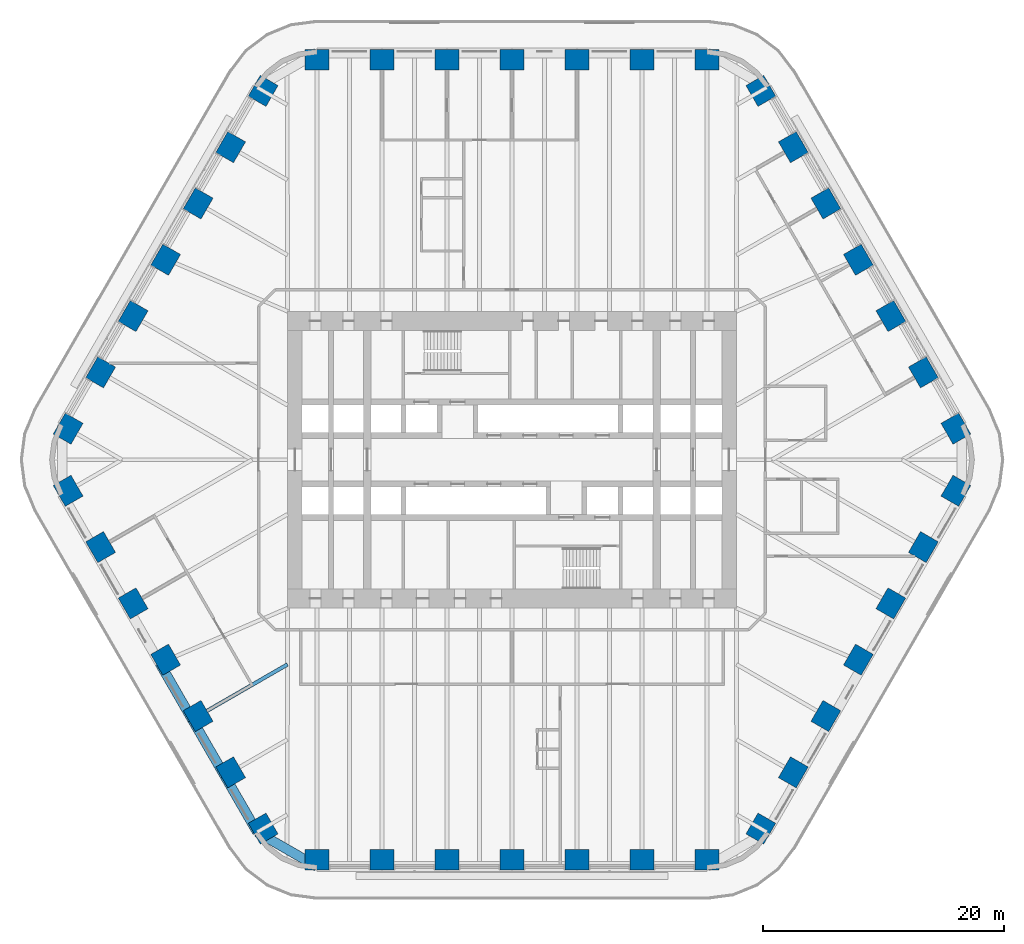
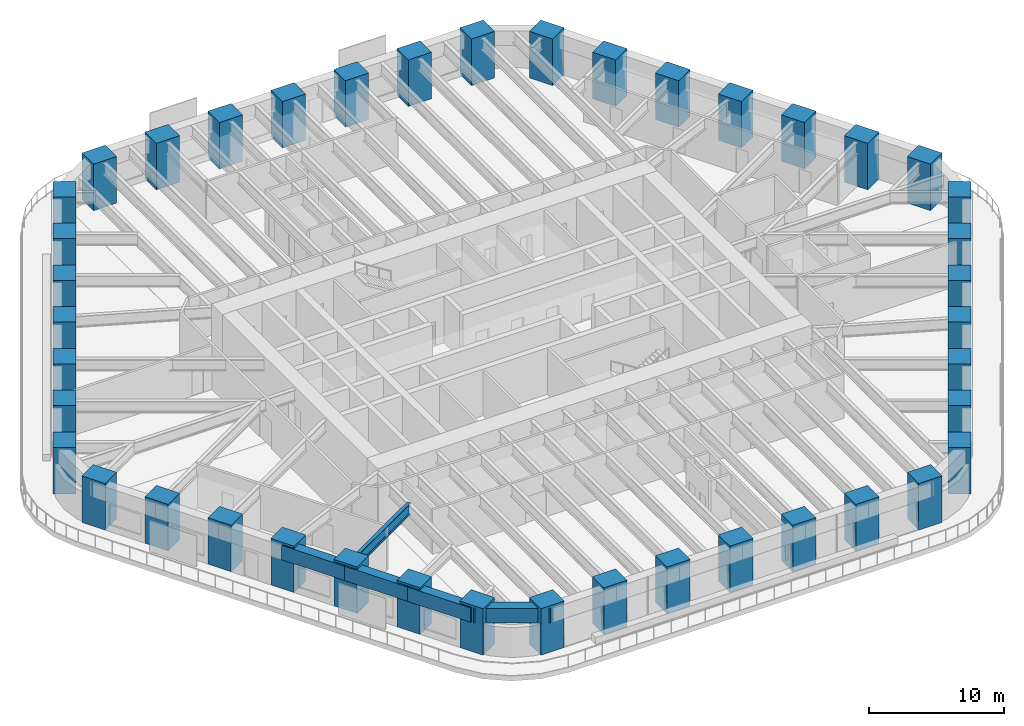
# One storey, part 1 of 24: 42 columns, 5 beams.
"""IFC4 building model written with IfcOpenShell, lengths in metres."""

from ifc_helpers import new_model, si_unit, direction, frame, origin, origin_2d, place, context, subcontext, project, spatial, rectangle, i_section, extrude, material, material_profile, profile_set, type_object, element, save


model = new_model("IFC4")

# Units and contexts
model_context = context("Model", 3, precision=1e-05, world=origin(), true_north=direction((0.0, 1.0)))
body_context = subcontext(model_context, "Body", "Model", "MODEL_VIEW")
ifc_project = project(units=[si_unit("LENGTHUNIT", "METRE"), si_unit("AREAUNIT", "SQUARE_METRE"), si_unit("VOLUMEUNIT", "CUBIC_METRE"), si_unit("PLANEANGLEUNIT", "RADIAN"), si_unit("MASSUNIT", "GRAM", prefix="KILO")], contexts=[model_context])

# Site, building, storey
site_placement = place(None, origin())
site = spatial("IfcSite", under=ifc_project, at=site_placement, CompositionType="ELEMENT")
building_placement = place(site_placement, origin())
building = spatial("IfcBuilding", under=site, at=building_placement, Name="Tarfa Lantern Tower", CompositionType="ELEMENT")
storey_placement = place(building_placement, frame((0.0, 0.0, 65.5)))
storey = spatial("IfcBuildingStorey", under=building, at=storey_placement, Name="L14", CompositionType="ELEMENT", Elevation=65.5)

# Columns
ifc_material_1 = material(Name="Concrete C80/95", Category="concrete")
ifc_material_profile_1 = material_profile(ifc_material_1, rectangle(XDim=2.0, YDim=1.699951171875, at=origin_2d()), Name="RC 2000x1700")
ifc_profile_set_1 = profile_set([ifc_material_profile_1], Name="Concrete C80/95")
column_type = type_object("IfcColumnType", Name="TC3 RC 2000x1700", PredefinedType="COLUMN", material=ifc_profile_set_1)
for number, where, z_axis, x_axis, name in (
    (1, (36.791748046875, 2.574951171875, 0.0), (0.0, 0.0, 1.0), (-0.5, 0.866025403784, 0.0), "Tube column NE0"),
    (2, (34.097412109375, 7.24169921875, 0.0), (0.0, 0.0, 1.0), (-0.5, 0.866025403784, 0.0), "Tube column NE1"),
    (3, (31.403076171875, 11.908447265625, 0.0), (0.0, 0.0, 1.0), (-0.5, 0.866025403784, 0.0), "Tube column NE2"),
    (4, (28.708740234375, 16.574951171875, 0.0), (0.0, 0.0, 1.0), (-0.5, 0.866025403784, 0.0), "Tube column NE3"),
    (5, (26.014404296875, 21.24169921875, 0.0), (0.0, 0.0, 1.0), (-0.5, 0.866025403784, 0.0), "Tube column NE4"),
    (6, (23.320068359375, 25.908447265625, 0.0), (0.0, 0.0, 1.0), (-0.5, 0.866025403784, 0.0), "Tube column NE5"),
    (7, (20.625732421875, 30.574951171875, 0.0), (0.0, 0.0, 1.0), (-0.5, 0.866025403784, 0.0), "Tube column NE6"),
    (8, (16.165771484375, 33.14990234375, 0.0), (0.0, 0.0, 1.0), (-1.0, 0.0, 0.0), "Tube column N0"),
    (9, (10.777099609375, 33.14990234375, 0.0), (0.0, 0.0, 1.0), (-1.0, 0.0, 0.0), "Tube column N1"),
    (10, (5.388671875, 33.14990234375, 0.0), (0.0, 0.0, 1.0), (-1.0, 0.0, 0.0), "Tube column N2"),
    (11, (0.0, 33.14990234375, 0.0), (0.0, 0.0, 1.0), (-1.0, 0.0, 0.0), "Tube column N3"),
    (12, (-5.388671875, 33.14990234375, 0.0), (0.0, 0.0, 1.0), (-1.0, 0.0, 0.0), "Tube column N4"),
    (13, (-10.777099609375, 33.14990234375, 0.0), (0.0, 0.0, 1.0), (-1.0, 0.0, 0.0), "Tube column N5"),
    (14, (-16.165771484375, 33.14990234375, 0.0), (0.0, 0.0, 1.0), (-1.0, 0.0, 0.0), "Tube column N6"),
    (15, (-20.625732421875, 30.574951171875, 0.0), (0.0, 0.0, 1.0), (-0.5, -0.866025403784, 0.0), "Tube column NW0"),
    (16, (-23.320068359375, 25.908447265625, 0.0), (0.0, 0.0, 1.0), (-0.5, -0.866025403784, 0.0), "Tube column NW1"),
    (17, (-26.014404296875, 21.24169921875, 0.0), (0.0, 0.0, 1.0), (-0.5, -0.866025403784, 0.0), "Tube column NW2"),
    (18, (-28.708740234375, 16.574951171875, 0.0), (0.0, 0.0, 1.0), (-0.5, -0.866025403784, 0.0), "Tube column NW3"),
    (19, (-31.403076171875, 11.908447265625, 0.0), (0.0, 0.0, 1.0), (-0.5, -0.866025403784, 0.0), "Tube column NW4"),
    (20, (-34.097412109375, 7.24169921875, 0.0), (0.0, 0.0, 1.0), (-0.5, -0.866025403784, 0.0), "Tube column NW5"),
    (21, (-36.791748046875, 2.574951171875, 0.0), (0.0, 0.0, 1.0), (-0.5, -0.866025403784, 0.0), "Tube column NW6"),
    (22, (-36.791748046875, -2.574951171875, 0.0), (0.0, 0.0, 1.0), (0.5, -0.866025403784, 0.0), "Tube column SW0"),
    (23, (-34.097412109375, -7.24169921875, 0.0), (0.0, 0.0, 1.0), (0.5, -0.866025403784, 0.0), "Tube column SW1"),
    (24, (-31.403076171875, -11.908447265625, 0.0), (0.0, 0.0, 1.0), (0.5, -0.866025403784, 0.0), "Tube column SW2"),
    (25, (-28.708740234375, -16.574951171875, 0.0), (0.0, 0.0, 1.0), (0.5, -0.866025403784, 0.0), "Tube column SW3"),
    (26, (-26.014404296875, -21.24169921875, 0.0), (0.0, 0.0, 1.0), (0.5, -0.866025403784, 0.0), "Tube column SW4"),
    (27, (-23.320068359375, -25.908447265625, 0.0), (0.0, 0.0, 1.0), (0.5, -0.866025403784, 0.0), "Tube column SW5"),
    (28, (-20.625732421875, -30.574951171875, 0.0), (0.0, 0.0, 1.0), (0.5, -0.866025403784, 0.0), "Tube column SW6"),
    (29, (-16.165771484375, -33.14990234375, 0.0), (0.0, 0.0, 1.0), (1.0, 0.0, 0.0), "Tube column S0"),
    (30, (-10.777099609375, -33.14990234375, 0.0), (0.0, 0.0, 1.0), (1.0, 0.0, 0.0), "Tube column S1"),
    (31, (-5.388671875, -33.14990234375, 0.0), (0.0, 0.0, 1.0), (1.0, 0.0, 0.0), "Tube column S2"),
    (32, (0.0, -33.14990234375, 0.0), (0.0, 0.0, 1.0), (1.0, 0.0, 0.0), "Tube column S3"),
    (33, (5.388671875, -33.14990234375, 0.0), (0.0, 0.0, 1.0), (1.0, 0.0, 0.0), "Tube column S4"),
    (34, (10.777099609375, -33.14990234375, 0.0), (0.0, 0.0, 1.0), (1.0, 0.0, 0.0), "Tube column S5"),
    (35, (16.165771484375, -33.14990234375, 0.0), (0.0, 0.0, 1.0), (1.0, 0.0, 0.0), "Tube column S6"),
    (36, (20.625732421875, -30.574951171875, 0.0), (0.0, 0.0, 1.0), (0.5, 0.866025403784, 0.0), "Tube column SE0"),
    (37, (23.320068359375, -25.908447265625, 0.0), (0.0, 0.0, 1.0), (0.5, 0.866025403784, 0.0), "Tube column SE1"),
    (38, (26.014404296875, -21.24169921875, 0.0), (0.0, 0.0, 1.0), (0.5, 0.866025403784, 0.0), "Tube column SE2"),
    (39, (28.708740234375, -16.574951171875, 0.0), (0.0, 0.0, 1.0), (0.5, 0.866025403784, 0.0), "Tube column SE3"),
    (40, (31.403076171875, -11.908447265625, 0.0), (0.0, 0.0, 1.0), (0.5, 0.866025403784, 0.0), "Tube column SE4"),
    (41, (34.097412109375, -7.24169921875, 0.0), (0.0, 0.0, 1.0), (0.5, 0.866025403784, 0.0), "Tube column SE5"),
    (42, (36.791748046875, -2.574951171875, 0.0), (0.0, 0.0, 1.0), (0.5, 0.866025403784, 0.0), "Tube column SE6"),
):
    element("IfcColumn", number, at=place(storey_placement, frame(where, z_axis=z_axis, x_axis=x_axis)), inside=storey, type_object=column_type, Name=name, PredefinedType="COLUMN", context=body_context, shape_type="SweptSolid", body=[
        extrude(rectangle(XDim=2.0, YDim=1.699951171875, at=origin_2d()), origin(), (0.0, 0.0, 1.0), 4.199951171875),
    ])

# Beams
ifc_material_profile_2 = material_profile(ifc_material_1, rectangle(XDim=0.800048828125, YDim=1.300048828125, at=origin_2d()), Name="RC 800x1300")
ifc_profile_set_2 = profile_set([ifc_material_profile_2], Name="Concrete C80/95")
beam_type_1 = type_object("IfcBeamType", Name="EB1 RC 800x1300", PredefinedType="SPANDREL", material=ifc_profile_set_2)
beam_1_placement = place(storey_placement, frame((-29.202392578125, -16.860107421875, 3.35009765625), z_axis=(0.500017906299, -0.866015065331, 0.0), x_axis=(0.866015065331, 0.500017906299, 0.0)))
element("IfcBeam", 43, at=beam_1_placement, inside=storey, type_object=beam_type_1, Name="Edge beam SW3", PredefinedType="SPANDREL", context=body_context, shape_type="SweptSolid", body=[
    extrude(rectangle(XDim=0.800048828125, YDim=1.300048828125, at=origin_2d()), origin(), (0.0, 0.0, 1.0), 5.388427734375),
])
for number, where, z_axis, x_axis, name in (
    (44, (-26.508056640625, -21.526611328125, 3.35009765625), (0.499998287579, -0.866026392449, 0.0), (0.866026392449, 0.499998287579, 0.0), "Edge beam SW4"),
    (45, (-23.813720703125, -26.193359375, 3.35009765625), (0.499998287579, -0.866026392449, 0.0), (0.866026392449, 0.499998287579, 0.0), "Edge beam SW5"),
):
    element("IfcBeam", number, at=place(storey_placement, frame(where, z_axis=z_axis, x_axis=x_axis)), inside=storey, type_object=beam_type_1, Name=name, PredefinedType="SPANDREL", context=body_context, shape_type="SweptSolid", body=[
        extrude(rectangle(XDim=0.800048828125, YDim=1.300048828125, at=origin_2d()), origin(), (0.0, 0.0, 1.0), 5.388671875),
    ])
beam_2_placement = place(storey_placement, frame((-21.119384765625, -30.860107421875, 3.35009765625), z_axis=(0.866033479681, -0.499986011877, 0.0), x_axis=(0.499986011877, 0.866033479681, 0.0)))
element("IfcBeam", 46, at=beam_2_placement, inside=storey, type_object=beam_type_1, Name="Edge beam SW6", PredefinedType="SPANDREL", context=body_context, shape_type="SweptSolid", body=[
    extrude(rectangle(XDim=0.800048828125, YDim=1.300048828125, at=origin_2d()), origin(), (0.0, 0.0, 1.0), 5.719970703125),
])
ifc_material_2 = material(Name="Steel S460M", Category="steel")
ifc_material_profile_3 = material_profile(ifc_material_2, i_section(OverallWidth=0.302001953125, OverallDepth=1.008056640625, WebThickness=0.02099609375, FlangeThickness=0.0400390625, FilletRadius=0.030029296875, at=origin_2d()), Name="UB1016x305x349")
ifc_profile_set_3 = profile_set([ifc_material_profile_3], Name="Steel S460M")
beam_type_2 = type_object("IfcBeamType", Name="UB1016x305x349", PredefinedType="BEAM", material=ifc_profile_set_3)
beam_3_placement = place(storey_placement, frame((-26.508056640625, -21.526611328125, 3.495849609375), z_axis=(0.866035355799, 0.49998276221, 0.0), x_axis=(-0.49998276221, 0.866035355799, 0.0)))
element("IfcBeam", 47, at=beam_3_placement, inside=storey, type_object=beam_type_2, Name="Floor beam SW4", PredefinedType="BEAM", context=body_context, shape_type="SweptSolid", body=[
    extrude(i_section(OverallWidth=0.302001953125, OverallDepth=1.008056640625, WebThickness=0.02099609375, FlangeThickness=0.0400390625, FilletRadius=0.030029296875, at=origin_2d()), origin(), (0.0, 0.0, 1.0), 9.119873046875),
])

save(model, "model.ifc")
